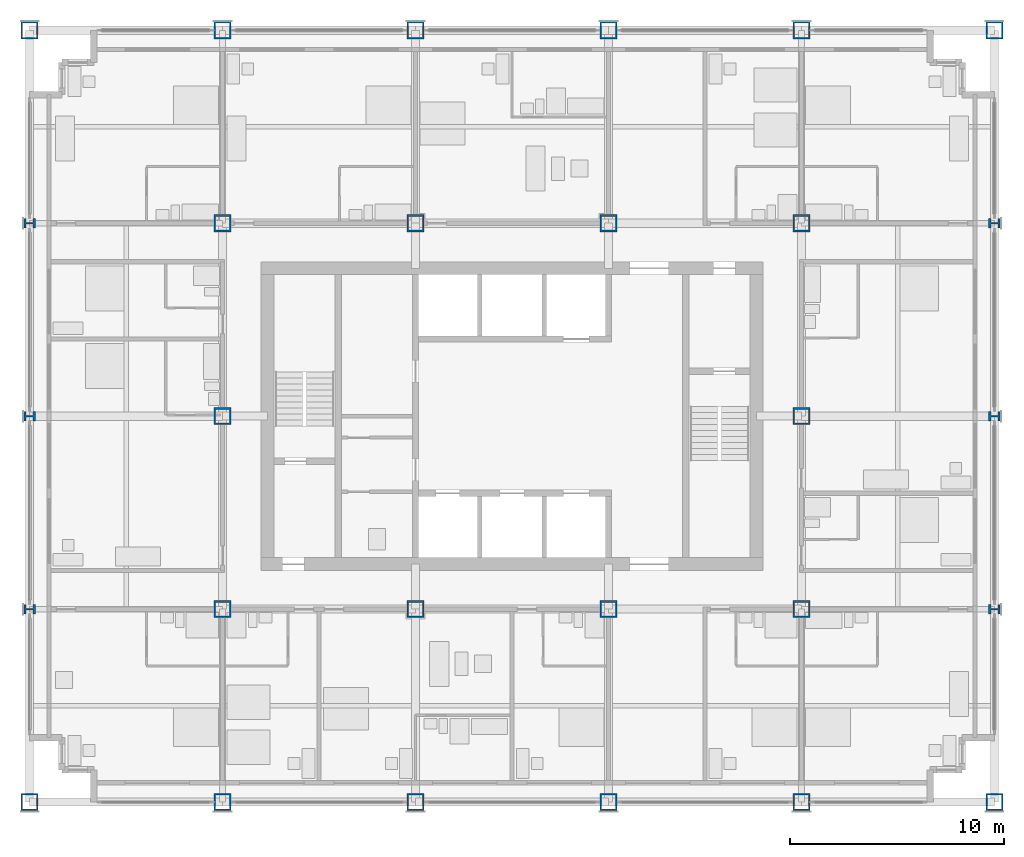
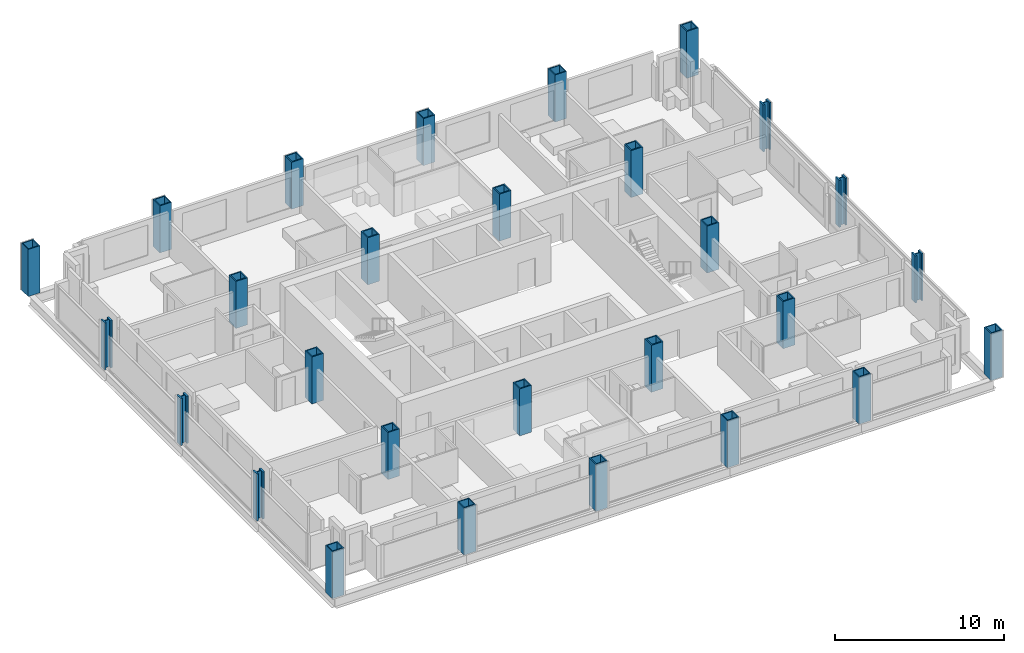
# One storey, part 1 of 16: 28 columns.
"""IFC4 building model written with IfcOpenShell, lengths in metres."""

import ifcopenshell
import ifcopenshell.guid

model = None  # the IFC model being written
_history = None  # IfcOwnerHistory: only IFC2X3 demands one
_inside = {}  # id of a spatial element -> (the spatial element, [elements in it])
_under = {}  # id of a project, library or spatial element -> (it, [spatial elements below it])
_declared = {}  # id of a project -> (the project, [libraries it declares])
_typed = {}  # id of a type object -> (the type object, [elements of that type])
_made_of = {}  # id of a material, layer set ... -> (it, [elements and type objects made of it])


def new_model(schema):
    """Start an empty IFC model of exactly this schema.

    Asked for "IFC4X3", IfcOpenShell would pick the latest addendum, in which some entities
    have other attributes; the version numbers below select the first issue.
    IFC2X3 requires an IfcOwnerHistory on every rooted entity: one is made here for all.
    """
    global model, _history
    if schema == "IFC4X3":
        model = ifcopenshell.file(schema_version=(4, 3, 0, 0))
    else:
        model = ifcopenshell.file(schema=schema)
    _inside.clear()
    _under.clear()
    _declared.clear()
    _typed.clear()
    _made_of.clear()
    _history = None
    if model.schema == "IFC2X3":
        org = make("IfcOrganization", Name="unknown")
        user = make(
            "IfcPersonAndOrganization",
            ThePerson=make("IfcPerson", FamilyName="unknown"),
            TheOrganization=org,
        )
        app = make(
            "IfcApplication",
            ApplicationDeveloper=org,
            Version="unknown",
            ApplicationFullName="unknown",
            ApplicationIdentifier="unknown",
        )
        _history = make(
            "IfcOwnerHistory",
            OwningUser=user,
            OwningApplication=app,
            ChangeAction="ADDED",
            CreationDate=0,
        )
    return model


def make(cls, **values):
    """One entity of the class cls with the attributes given. An attribute that is None is left unset."""
    return model.create_entity(
        cls, **{name: value for name, value in values.items() if value is not None}
    )


def rooted(cls, **values):
    """An entity with a GlobalId (a new one), such as an element, a storey or a relation."""
    return make(cls, GlobalId=ifcopenshell.guid.new(), OwnerHistory=_history, **values)


def si_unit(unit_type, name, prefix=None):
    """IfcSIUnit, for example si_unit("LENGTHUNIT", "METRE", prefix="MILLI")."""
    return make("IfcSIUnit", UnitType=unit_type, Prefix=prefix, Name=name)


def assignment(units):
    """IfcUnitAssignment: the units of a project."""
    return None if units is None else make("IfcUnitAssignment", Units=units)


def point(xyz):
    """IfcCartesianPoint."""
    return None if xyz is None else make("IfcCartesianPoint", Coordinates=xyz)


def direction(xyz):
    """IfcDirection."""
    return None if xyz is None else make("IfcDirection", DirectionRatios=xyz)


def frame(location, z_axis=None, x_axis=None):
    """IfcAxis2Placement3D, a coordinate frame: its origin and axes. An axis left out is left unset."""
    return make(
        "IfcAxis2Placement3D",
        Location=point(location),
        Axis=direction(z_axis),
        RefDirection=direction(x_axis),
    )


def frame_2d(location, x_axis=None):
    """IfcAxis2Placement2D, a coordinate frame in the plane: its origin and x axis."""
    return make(
        "IfcAxis2Placement2D", Location=point(location), RefDirection=direction(x_axis)
    )


def origin():
    """The frame at (0, 0, 0) with its axes left unset."""
    return frame((0.0, 0.0, 0.0))


def origin_2d():
    """The frame at (0, 0) in the plane with its x axis left unset."""
    return frame_2d((0.0, 0.0))


def place(relative_to, where):
    """IfcLocalPlacement: puts the frame where relative to a parent placement (None: the world)."""
    return make(
        "IfcLocalPlacement", PlacementRelTo=relative_to, RelativePlacement=where
    )


def context(
    kind, dimensions, precision=None, world=None, true_north=None, identifier=None
):
    """IfcGeometricRepresentationContext, for example the 3D "Model" context."""
    return make(
        "IfcGeometricRepresentationContext",
        ContextIdentifier=identifier,
        ContextType=kind,
        CoordinateSpaceDimension=dimensions,
        Precision=precision,
        WorldCoordinateSystem=world,
        TrueNorth=true_north,
    )


def subcontext(parent, identifier, kind, view, scale=None):
    """IfcGeometricRepresentationSubContext, for example "Body" below "Model"."""
    return make(
        "IfcGeometricRepresentationSubContext",
        ContextIdentifier=identifier,
        ContextType=kind,
        ParentContext=parent,
        TargetScale=scale,
        TargetView=view,
    )


def project(units=None, contexts=None):
    """IfcProject with its units and contexts."""
    return rooted(
        "IfcProject",
        Name="project",
        RepresentationContexts=contexts,
        UnitsInContext=assignment(units),
    )


def spatial(cls, under=None, at=None, **own):
    """A site, building, storey or space (cls), placed at a placement, below another one or the project."""
    s = rooted(cls, ObjectPlacement=at, **own)
    if under is not None:
        _under.setdefault(under.id(), (under, []))[1].append(s)
    return s


def profile(cls, at=None, kind="AREA", **sizes):
    """A parametric profile (cls). Its sizes go by their IFC names, for example OverallWidth=200.0."""
    return make(cls, ProfileType=kind, Position=at, **sizes)


def hollow_rectangle(**sizes):
    """IfcRectangleHollowProfileDef."""
    return profile("IfcRectangleHollowProfileDef", **sizes)


def i_section(**sizes):
    """IfcIShapeProfileDef."""
    return profile("IfcIShapeProfileDef", **sizes)


def extrude(swept, where, along, depth):
    """IfcExtrudedAreaSolid: the profile swept, set in the frame where, extruded along a direction by depth."""
    return make(
        "IfcExtrudedAreaSolid",
        SweptArea=swept,
        Position=where,
        ExtrudedDirection=direction(along),
        Depth=depth,
    )


def shape(context_of_items, identifier, shape_type, items):
    """IfcShapeRepresentation: the items that make up one representation, for example the "Body"."""
    return make(
        "IfcShapeRepresentation",
        ContextOfItems=context_of_items,
        RepresentationIdentifier=identifier,
        RepresentationType=shape_type,
        Items=items,
    )


def material(Name=None, Category=None):
    """IfcMaterial."""
    return make("IfcMaterial", Name=Name, Category=Category)


def material_profile(
    of_material, cross_section, Name=None, Category=None, Priority=None
):
    """IfcMaterialProfile: a cross section and its material."""
    return make(
        "IfcMaterialProfile",
        Name=Name,
        Material=of_material,
        Profile=cross_section,
        Priority=Priority,
        Category=Category,
    )


def profile_set(profiles, Name=None, composite=None):
    """IfcMaterialProfileSet."""
    return make(
        "IfcMaterialProfileSet",
        Name=Name,
        MaterialProfiles=profiles,
        CompositeProfile=composite,
    )


def made_of(thing, what):
    """Note that an element or type object is made of a material, layer set ...; save() writes the relation."""
    if what is not None:
        _made_of.setdefault(what.id(), (what, []))[1].append(thing)
    return thing


def type_object(cls, material=None, **own):
    """A type object (cls), such as IfcWallType, which elements share."""
    return made_of(rooted(cls, **own), material)


def element(
    cls,
    number,
    at=None,
    inside=None,
    cuts=None,
    type_object=None,
    material=None,
    context=None,
    identifier="Body",
    shape_type=None,
    held_by="IfcProductDefinitionShape",
    body=None,
    shapes=None,
    **own,
):
    """One element of the class cls, such as IfcWall. Its Tag is "e" and its number.

    at: its placement. inside: the storey or other place that contains it. cuts: it is an
    opening in that element (IfcRelVoidsElement). A single representation is given by context,
    identifier, shape_type and body (its items); several are given by shapes. held_by: the class
    of the entity that holds the representations. save() writes the other relations.
    """
    e = rooted(cls, Tag="e%d" % number, ObjectPlacement=at, **own)
    if body is not None:
        shapes = [shape(context, identifier, shape_type, body)]
    if shapes is not None:
        e.Representation = make(held_by, Representations=shapes)
    if inside is not None:
        _inside.setdefault(inside.id(), (inside, []))[1].append(e)
    if cuts is not None:
        rooted(
            "IfcRelVoidsElement", RelatingBuildingElement=cuts, RelatedOpeningElement=e
        )
    if type_object is not None:
        _typed.setdefault(type_object.id(), (type_object, []))[1].append(e)
    return made_of(e, material)


def aggregate(whole, parts):
    """IfcRelAggregates: a whole, such as a stair, and the parts it consists of."""
    return rooted("IfcRelAggregates", RelatingObject=whole, RelatedObjects=parts)


def save(model, path):
    """Write the relations noted so far, then the file.

    IfcRelAggregates (storeys below a building ...), IfcRelContainedInSpatialStructure (elements
    in a storey), IfcRelDefinesByType, IfcRelAssociatesMaterial and IfcRelDeclares: one each for
    every whole, place, type object, material and project.
    """
    for whole, parts in _under.values():
        aggregate(whole, parts)
    for where, things in _inside.values():
        rooted(
            "IfcRelContainedInSpatialStructure",
            RelatedElements=things,
            RelatingStructure=where,
        )
    for kind, things in _typed.values():
        rooted("IfcRelDefinesByType", RelatedObjects=things, RelatingType=kind)
    for what, things in _made_of.values():
        rooted("IfcRelAssociatesMaterial", RelatedObjects=things, RelatingMaterial=what)
    for by, libraries in _declared.values():
        rooted("IfcRelDeclares", RelatingContext=by, RelatedDefinitions=libraries)
    model.write(path)


model = new_model("IFC4")

# Units and contexts
model_context = context("Model", 3, precision=1e-05, world=origin(), true_north=direction((0.0, 1.0)))
body_context = subcontext(model_context, "Body", "Model", "MODEL_VIEW")
ifc_project = project(units=[si_unit("LENGTHUNIT", "METRE"), si_unit("AREAUNIT", "SQUARE_METRE"), si_unit("VOLUMEUNIT", "CUBIC_METRE"), si_unit("PLANEANGLEUNIT", "RADIAN"), si_unit("MASSUNIT", "GRAM", prefix="KILO")], contexts=[model_context])

# Site, building, storey
site_placement = place(None, origin())
site = spatial("IfcSite", under=ifc_project, at=site_placement, CompositionType="ELEMENT")
building_placement = place(site_placement, origin())
building = spatial("IfcBuilding", under=site, at=building_placement, Name="Loomwork Tower", CompositionType="ELEMENT")
storey_placement = place(building_placement, frame((0.0, 0.0, 118.0)))
storey = spatial("IfcBuildingStorey", under=building, at=storey_placement, Name="L31", CompositionType="ELEMENT", Elevation=118.0)

# Columns
ifc_material_1 = material(Name="Steel ASTM A572 Grade 50 plate", Category="steel")
ifc_material_profile_1 = material_profile(ifc_material_1, hollow_rectangle(XDim=0.800048828125, YDim=0.800048828125, WallThickness=0.070068359375, at=origin_2d()), Name="BOX800x70")
ifc_profile_set_1 = profile_set([ifc_material_profile_1], Name="Steel ASTM A572 Grade 50 plate")
column_type_1 = type_object("IfcColumnType", Name="EXOSKELETON PIER BOX800x70", PredefinedType="COLUMN", material=ifc_profile_set_1)
for number, where, z_axis, x_axis, name in (
    (1, (0.0, 0.0, 0.0), (0.0, 0.0, 1.0), (1.0, 0.0, 0.0), "Exoskeleton Pier D/2 L31"),
    (2, (0.0, 36.0, 0.0), (0.0, 0.0, 1.0), (1.0, 0.0, 0.0), "Exoskeleton Pier H/2 L31"),
    (3, (9.0, 0.0, 0.0), (0.0, 0.0, 1.0), (1.0, 0.0, 0.0), "Exoskeleton Pier D/3 L31"),
    (4, (9.0, 36.0, 0.0), (0.0, 0.0, 1.0), (1.0, 0.0, 0.0), "Exoskeleton Pier H/3 L31"),
    (5, (18.0, 0.0, 0.0), (0.0, 0.0, 1.0), (1.0, 0.0, 0.0), "Exoskeleton Pier D/4 L31"),
    (6, (18.0, 36.0, 0.0), (0.0, 0.0, 1.0), (1.0, 0.0, 0.0), "Exoskeleton Pier H/4 L31"),
    (7, (27.0, 0.0, 0.0), (0.0, 0.0, 1.0), (1.0, 0.0, 0.0), "Exoskeleton Pier D/5 L31"),
    (8, (27.0, 36.0, 0.0), (0.0, 0.0, 1.0), (1.0, 0.0, 0.0), "Exoskeleton Pier H/5 L31"),
    (9, (36.0, 0.0, 0.0), (0.0, 0.0, 1.0), (1.0, 0.0, 0.0), "Exoskeleton Pier D/6 L31"),
    (10, (36.0, 36.0, 0.0), (0.0, 0.0, 1.0), (1.0, 0.0, 0.0), "Exoskeleton Pier H/6 L31"),
    (11, (45.0, 0.0, 0.0), (0.0, 0.0, 1.0), (1.0, 0.0, 0.0), "Exoskeleton Pier D/7 L31"),
    (12, (45.0, 36.0, 0.0), (0.0, 0.0, 1.0), (1.0, 0.0, 0.0), "Exoskeleton Pier H/7 L31"),
):
    element("IfcColumn", number, at=place(storey_placement, frame(where, z_axis=z_axis, x_axis=x_axis)), inside=storey, type_object=column_type_1, Name=name, PredefinedType="COLUMN", context=body_context, shape_type="SweptSolid", body=[
        extrude(hollow_rectangle(XDim=0.800048828125, YDim=0.800048828125, WallThickness=0.070068359375, at=origin_2d()), origin(), (0.0, 0.0, 1.0), 3.39990234375),
    ])
ifc_material_2 = material(Name="Steel ASTM A992", Category="steel")
ifc_material_profile_2 = material_profile(ifc_material_2, i_section(OverallWidth=0.449462890625, OverallDepth=0.548583984375, WebThickness=0.07177734375, FlangeThickness=0.11474609375, at=origin_2d()), Name="W14x665")
ifc_profile_set_2 = profile_set([ifc_material_profile_2], Name="Steel ASTM A992")
column_type_2 = type_object("IfcColumnType", Name="EXOSKELETON PIER W14x665", PredefinedType="COLUMN", material=ifc_profile_set_2)
for number, where, z_axis, x_axis, name in (
    (13, (0.0, 9.0, 0.0), (0.0, 0.0, 1.0), (0.0, 1.0, 0.0), "Exoskeleton Pier E/2 L31"),
    (14, (0.0, 18.0, 0.0), (0.0, 0.0, 1.0), (0.0, 1.0, 0.0), "Exoskeleton Pier F/2 L31"),
    (15, (0.0, 27.0, 0.0), (0.0, 0.0, 1.0), (0.0, 1.0, 0.0), "Exoskeleton Pier G/2 L31"),
    (16, (45.0, 9.0, 0.0), (0.0, 0.0, 1.0), (0.0, 1.0, 0.0), "Exoskeleton Pier E/7 L31"),
    (17, (45.0, 18.0, 0.0), (0.0, 0.0, 1.0), (0.0, 1.0, 0.0), "Exoskeleton Pier F/7 L31"),
    (18, (45.0, 27.0, 0.0), (0.0, 0.0, 1.0), (0.0, 1.0, 0.0), "Exoskeleton Pier G/7 L31"),
):
    element("IfcColumn", number, at=place(storey_placement, frame(where, z_axis=z_axis, x_axis=x_axis)), inside=storey, type_object=column_type_2, Name=name, PredefinedType="COLUMN", context=body_context, shape_type="SweptSolid", body=[
        extrude(i_section(OverallWidth=0.449462890625, OverallDepth=0.548583984375, WebThickness=0.07177734375, FlangeThickness=0.11474609375, at=origin_2d()), origin(), (0.0, 0.0, 1.0), 3.39990234375),
    ])
ifc_material_3 = material(Name="Steel ASTM A572 Grade 50 plate", Category="steel")
ifc_material_profile_3 = material_profile(ifc_material_3, hollow_rectangle(XDim=0.800048828125, YDim=0.800048828125, WallThickness=0.080078125, at=origin_2d()), Name="BOX800x80")
ifc_profile_set_3 = profile_set([ifc_material_profile_3], Name="Steel ASTM A572 Grade 50 plate")
column_type_3 = type_object("IfcColumnType", Name="TOWER COLUMN BOX800x80", PredefinedType="COLUMN", material=ifc_profile_set_3)
for number, where, z_axis, x_axis, name in (
    (19, (9.0, 9.0, 0.0), (0.0, 0.0, 1.0), (1.0, 0.0, 0.0), "Tower Column E/3 L31"),
    (20, (9.0, 18.0, 0.0), (0.0, 0.0, 1.0), (1.0, 0.0, 0.0), "Tower Column F/3 L31"),
    (21, (9.0, 27.0, 0.0), (0.0, 0.0, 1.0), (1.0, 0.0, 0.0), "Tower Column G/3 L31"),
    (22, (18.0, 9.0, 0.0), (0.0, 0.0, 1.0), (1.0, 0.0, 0.0), "Tower Column E/4 L31"),
    (23, (18.0, 27.0, 0.0), (0.0, 0.0, 1.0), (1.0, 0.0, 0.0), "Tower Column G/4 L31"),
    (24, (27.0, 9.0, 0.0), (0.0, 0.0, 1.0), (1.0, 0.0, 0.0), "Tower Column E/5 L31"),
    (25, (27.0, 27.0, 0.0), (0.0, 0.0, 1.0), (1.0, 0.0, 0.0), "Tower Column G/5 L31"),
    (26, (36.0, 9.0, 0.0), (0.0, 0.0, 1.0), (0.0, 1.0, 0.0), "Tower Column E/6 L31"),
    (27, (36.0, 18.0, 0.0), (0.0, 0.0, 1.0), (0.0, 1.0, 0.0), "Tower Column F/6 L31"),
    (28, (36.0, 27.0, 0.0), (0.0, 0.0, 1.0), (1.0, 0.0, 0.0), "Tower Column G/6 L31"),
):
    element("IfcColumn", number, at=place(storey_placement, frame(where, z_axis=z_axis, x_axis=x_axis)), inside=storey, type_object=column_type_3, Name=name, PredefinedType="COLUMN", context=body_context, shape_type="SweptSolid", body=[
        extrude(hollow_rectangle(XDim=0.800048828125, YDim=0.800048828125, WallThickness=0.080078125, at=origin_2d()), origin(), (0.0, 0.0, 1.0), 3.39990234375),
    ])

save(model, "model.ifc")
